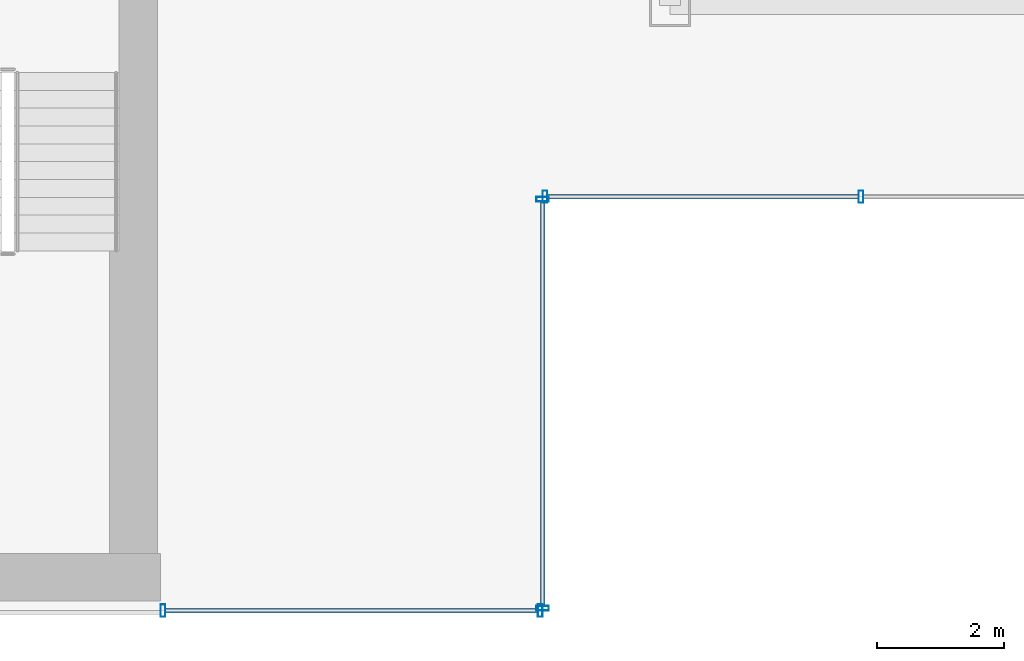
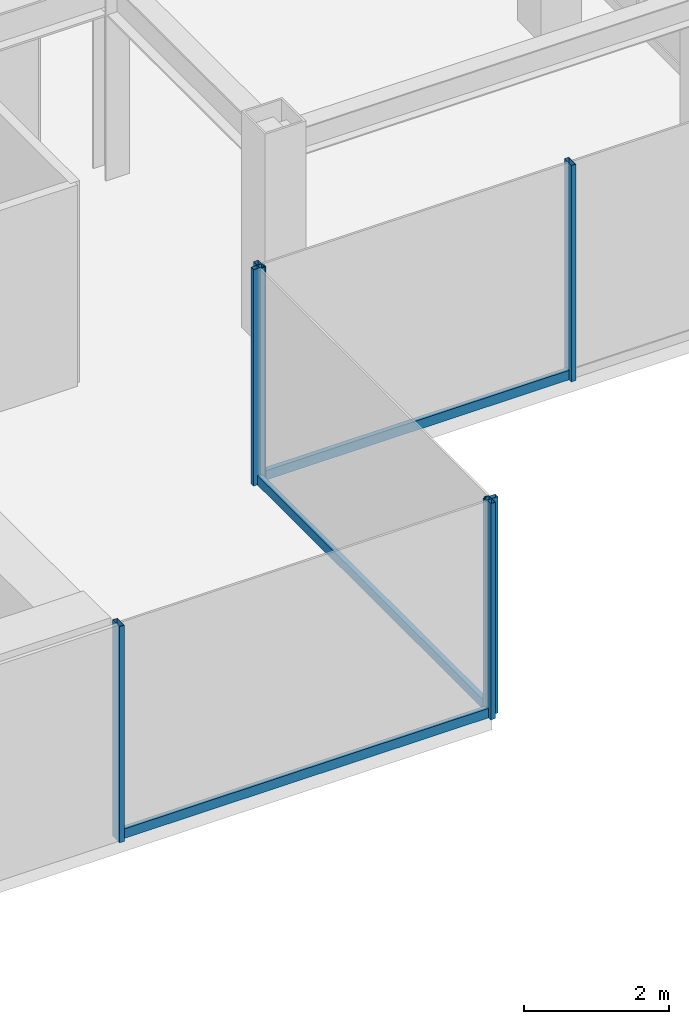
# One storey, part 9 of 25: 9 members, 3 elements without a shape of their own.
"""IFC4 building model written with IfcOpenShell, lengths in metres."""

from ifc_helpers import new_model, si_unit, derived_unit, direction, frame, origin, origin_2d, place, context, subcontext, project, spatial, hollow_rectangle, extrude, source, transform, mapped, material, material_profile, profile_set, type_object, element, aggregate, save


model = new_model("IFC4")

# Units and contexts
model_context = context("Model", 3, precision=1e-05, world=origin(), true_north=direction((0.0, 1.0)))
body_context = subcontext(model_context, "Body", "Model", "MODEL_VIEW")
ifc_project = project(units=[si_unit("LENGTHUNIT", "METRE"), si_unit("AREAUNIT", "SQUARE_METRE"), si_unit("VOLUMEUNIT", "CUBIC_METRE"), si_unit("PLANEANGLEUNIT", "RADIAN"), si_unit("MASSUNIT", "GRAM", prefix="KILO"), derived_unit("THERMALTRANSMITTANCEUNIT", [(si_unit("POWERUNIT", "WATT"), 1), (si_unit("LENGTHUNIT", "METRE"), -2), (si_unit("THERMODYNAMICTEMPERATUREUNIT", "KELVIN"), -1)])], contexts=[model_context])

# Site, building, storey
site_placement = place(None, origin())
site = spatial("IfcSite", under=ifc_project, at=site_placement, CompositionType="ELEMENT")
building_placement = place(site_placement, origin())
building = spatial("IfcBuilding", under=site, at=building_placement, Name="Skarnbrae Concourse Arena and Tower", CompositionType="ELEMENT")
storey_placement = place(building_placement, frame((0.0, 0.0, 151.550048828125)))
storey = spatial("IfcBuildingStorey", under=building, at=storey_placement, Name="L38", CompositionType="ELEMENT", Elevation=151.550048828125)

# Curtain wall, member
ifc_material = material(Name="Bronze anodised aluminium 6063-T6", Category="aluminium")
curtain_wall_type = type_object("IfcCurtainWallType", Name="CW-SYS-04-MIDZONE", PredefinedType="USERDEFINED", material=ifc_material)
curtain_wall_1_placement = place(storey_placement, origin())
curtain_wall_1 = element("IfcCurtainWall", 1, at=curtain_wall_1_placement, inside=storey, type_object=curtain_wall_type, Name="L38 Unitised curtain wall CW-L38-E03", ObjectType="UNITISED CURTAIN WALL", PredefinedType="USERDEFINED")
ifc_material_profile_1 = material_profile(ifc_material, hollow_rectangle(XDim=0.074951171875, YDim=0.159912109375, WallThickness=0.00439453125, at=origin_2d()), Name="ALU-TRAN-75X160")
ifc_profile_set_1 = profile_set([ifc_material_profile_1], Name="Bronze anodised aluminium 6063-T6")
member_type_1 = type_object("IfcMemberType", Name="CWT-CW-04", PredefinedType="USERDEFINED", material=ifc_profile_set_1)
shared_shape_1 = source(origin(), body_context, "Body", "SweptSolid", [
    extrude(hollow_rectangle(XDim=0.074951171875, YDim=0.159912109375, WallThickness=0.00439453125, at=origin_2d()), origin(), (0.0, 0.0, 1.0), 4.887451171875),
])
member_1_placement = place(storey_placement, frame((40.074951171875, 6.5, 0.079833984375), z_axis=(1.0, 0.0, 0.0), x_axis=(0.0, 1.0, 0.0)))
member_1 = element("IfcMember", 2, at=member_1_placement, type_object=member_type_1, Name="CW-L38-E03 Transom 1", ObjectType="TRANSOM", PredefinedType="USERDEFINED", context=body_context, shape_type="MappedRepresentation", body=[
    mapped(shared_shape_1, transform((0.0, 0.0, 0.0))),
])

# Curtain wall, members
curtain_wall_2_placement = place(storey_placement, origin())
curtain_wall_2 = element("IfcCurtainWall", 3, at=curtain_wall_2_placement, inside=storey, type_object=curtain_wall_type, Name="L38 Unitised curtain wall CW-L38-SE-SPINE", ObjectType="UNITISED CURTAIN WALL", PredefinedType="USERDEFINED")
ifc_material_profile_2 = material_profile(ifc_material, hollow_rectangle(XDim=0.074951171875, YDim=0.195068359375, WallThickness=0.00439453125, at=origin_2d()), Name="ALU-MULL-75X195")
ifc_profile_set_2 = profile_set([ifc_material_profile_2], Name="Bronze anodised aluminium 6063-T6")
member_type_2 = type_object("IfcMemberType", Name="CWM-CW-04", PredefinedType="MULLION", material=ifc_profile_set_2)
shared_shape_2 = source(origin(), body_context, "Body", "SweptSolid", [
    extrude(hollow_rectangle(XDim=0.074951171875, YDim=0.195068359375, WallThickness=0.00439453125, at=origin_2d()), origin(), (0.0, 0.0, 1.0), 3.64990234375),
])
member_2_placement = place(storey_placement, frame((34.03759765625, 0.0, 0.0), z_axis=(0.0, 0.0, 1.0), x_axis=(1.0, 0.0, 0.0)))
member_2 = element("IfcMember", 4, at=member_2_placement, type_object=member_type_2, Name="CW-L38-SE-SPINE Mullion 1", PredefinedType="MULLION", context=body_context, shape_type="MappedRepresentation", body=[
    mapped(shared_shape_2, transform((0.0, 0.0, 0.0))),
])
member_3_placement = place(storey_placement, frame((39.96240234375, 0.0, 0.0), z_axis=(0.0, 0.0, 1.0), x_axis=(1.0, 0.0, 0.0)))
member_3 = element("IfcMember", 5, at=member_3_placement, type_object=member_type_2, Name="CW-L38-SE-SPINE Mullion 2", PredefinedType="MULLION", context=body_context, shape_type="MappedRepresentation", body=[
    mapped(shared_shape_2, transform((0.0, 0.0, 0.0))),
])

curtain_wall_3_placement = place(storey_placement, origin())
curtain_wall_3 = element("IfcCurtainWall", 6, at=curtain_wall_3_placement, inside=storey, type_object=curtain_wall_type, Name="L38 Unitised curtain wall CW-L38-E02", ObjectType="UNITISED CURTAIN WALL", PredefinedType="USERDEFINED")
member_4_placement = place(storey_placement, frame((40.0, 0.03759765625, 0.0), z_axis=(0.0, 0.0, 1.0), x_axis=(0.0, 1.0, 0.0)))
member_4 = element("IfcMember", 7, at=member_4_placement, type_object=member_type_2, Name="CW-L38-E02 Mullion 1", PredefinedType="MULLION", context=body_context, shape_type="MappedRepresentation", body=[
    mapped(shared_shape_2, transform((0.0, 0.0, 0.0))),
])
member_5_placement = place(storey_placement, frame((40.0, 6.46240234375, 0.0), z_axis=(0.0, 0.0, 1.0), x_axis=(0.0, 1.0, 0.0)))
member_5 = element("IfcMember", 8, at=member_5_placement, type_object=member_type_2, Name="CW-L38-E02 Mullion 2", PredefinedType="MULLION", context=body_context, shape_type="MappedRepresentation", body=[
    mapped(shared_shape_2, transform((0.0, 0.0, 0.0))),
])

# Member
member_6_placement = place(storey_placement, frame((40.03759765625, 6.5, 0.0), z_axis=(0.0, 0.0, 1.0), x_axis=(1.0, 0.0, 0.0)))
member_6 = element("IfcMember", 9, at=member_6_placement, type_object=member_type_2, Name="CW-L38-E03 Mullion 1", PredefinedType="MULLION", context=body_context, shape_type="MappedRepresentation", body=[
    mapped(shared_shape_2, transform((0.0, 0.0, 0.0))),
])

member_7_placement = place(storey_placement, frame((45.0, 6.5, 0.0), z_axis=(0.0, 0.0, 1.0), x_axis=(1.0, 0.0, 0.0)))
member_7 = element("IfcMember", 10, at=member_7_placement, type_object=member_type_2, Name="CW-L38-E03 Mullion 2", PredefinedType="MULLION", context=body_context, shape_type="MappedRepresentation", body=[
    mapped(shared_shape_2, transform((0.0, 0.0, 0.0))),
])

aggregate(curtain_wall_1, [member_6, member_7, member_1])

shared_shape_3 = source(origin(), body_context, "Body", "SweptSolid", [
    extrude(hollow_rectangle(XDim=0.074951171875, YDim=0.159912109375, WallThickness=0.00439453125, at=origin_2d()), origin(), (0.0, 0.0, 1.0), 5.85009765625),
])
member_8_placement = place(storey_placement, frame((34.074951171875, 0.0, 0.079833984375), z_axis=(1.0, 0.0, 0.0), x_axis=(0.0, 1.0, 0.0)))
member_8 = element("IfcMember", 11, at=member_8_placement, type_object=member_type_1, Name="CW-L38-SE-SPINE Transom 1", ObjectType="TRANSOM", PredefinedType="USERDEFINED", context=body_context, shape_type="MappedRepresentation", body=[
    mapped(shared_shape_3, transform((0.0, 0.0, 0.0))),
])

aggregate(curtain_wall_2, [member_2, member_3, member_8])

shared_shape_4 = source(origin(), body_context, "Body", "SweptSolid", [
    extrude(hollow_rectangle(XDim=0.074951171875, YDim=0.159912109375, WallThickness=0.00439453125, at=origin_2d()), origin(), (0.0, 0.0, 1.0), 6.35009765625),
])
member_9_placement = place(storey_placement, frame((40.0, 0.074951171875, 0.079833984375), z_axis=(0.0, 1.0, 0.0), x_axis=(-1.0, 0.0, 0.0)))
member_9 = element("IfcMember", 12, at=member_9_placement, type_object=member_type_1, Name="CW-L38-E02 Transom 1", ObjectType="TRANSOM", PredefinedType="USERDEFINED", context=body_context, shape_type="MappedRepresentation", body=[
    mapped(shared_shape_4, transform((0.0, 0.0, 0.0))),
])

aggregate(curtain_wall_3, [member_4, member_5, member_9])

save(model, "model.ifc")
